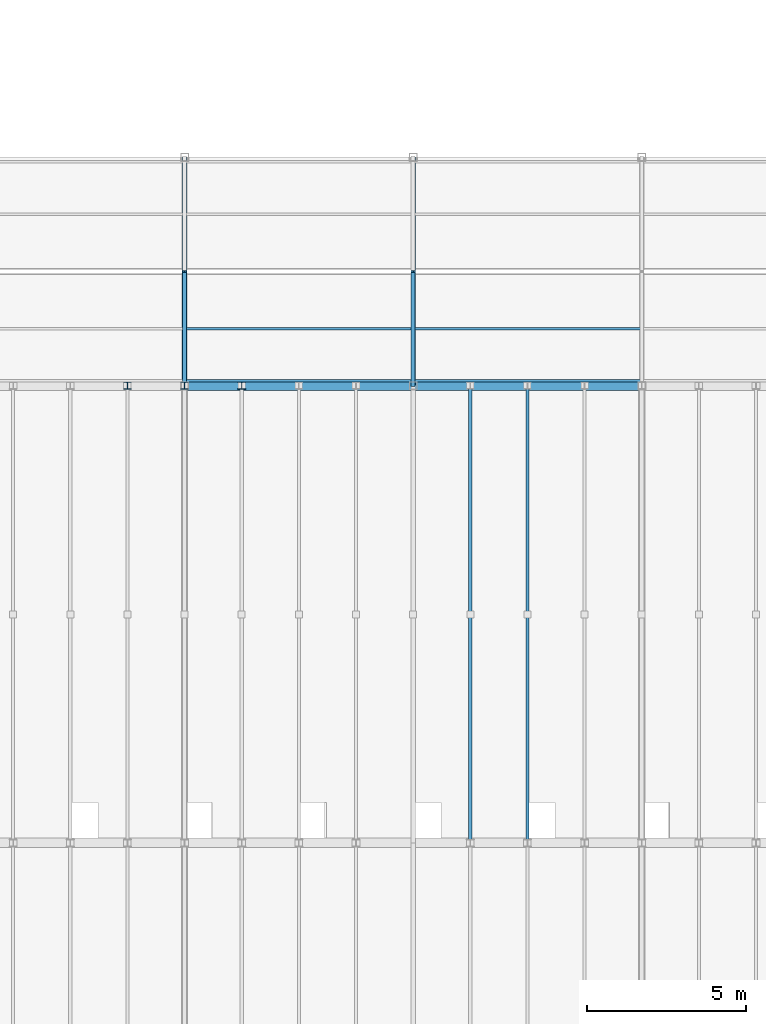
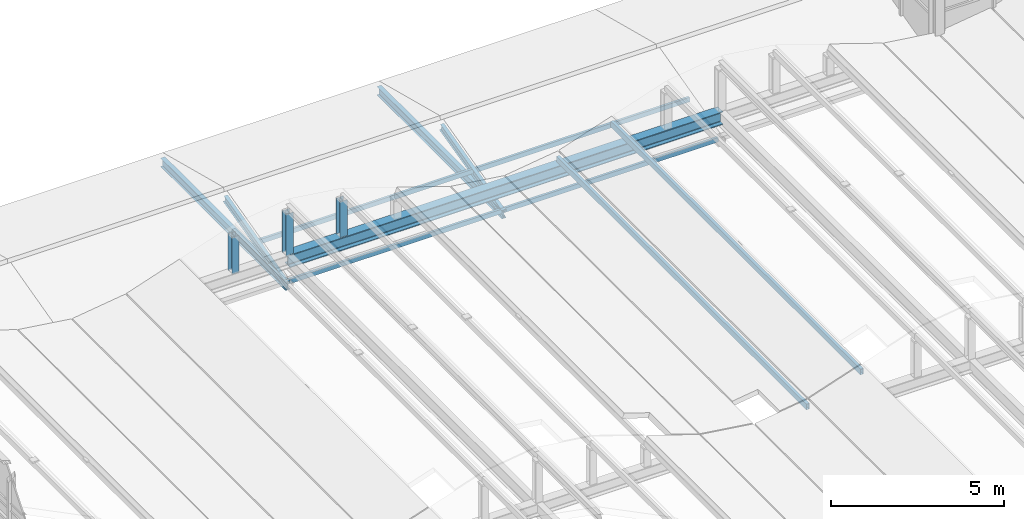
# One storey, part 19 of 83: 11 members, 3 beams.
"""IFC4 building model written with IfcOpenShell, lengths in metres."""

from ifc_helpers import new_model, si_unit, direction, frame, origin, origin_2d, place, context, subcontext, project, spatial, hollow_rectangle, i_section, extrude, material, material_profile, profile_set, type_object, element, save


model = new_model("IFC4")

# Units and contexts
model_context = context("Model", 3, precision=1e-05, world=origin(), true_north=direction((0.0, 1.0)))
body_context = subcontext(model_context, "Body", "Model", "MODEL_VIEW")
ifc_project = project(units=[si_unit("LENGTHUNIT", "METRE"), si_unit("AREAUNIT", "SQUARE_METRE"), si_unit("VOLUMEUNIT", "CUBIC_METRE"), si_unit("PLANEANGLEUNIT", "RADIAN"), si_unit("MASSUNIT", "GRAM", prefix="KILO")], contexts=[model_context])

# Site, building, storey
site_placement = place(None, origin())
site = spatial("IfcSite", under=ifc_project, at=site_placement, CompositionType="ELEMENT")
building_placement = place(site_placement, origin())
building = spatial("IfcBuilding", under=site, at=building_placement, Name="Leyfeld Transit Interchange", CompositionType="ELEMENT")
storey_placement = place(building_placement, frame((0.0, 0.0, 5.39990234375)))
storey = spatial("IfcBuildingStorey", under=building, at=storey_placement, Name="L01", CompositionType="ELEMENT", Elevation=5.39990234375)

# Beams
ifc_material = material(Name="Steel S355J2", Category="steel")
ifc_material_profile_1 = material_profile(ifc_material, i_section(OverallWidth=0.300048828125, OverallDepth=0.449951171875, WebThickness=0.013916015625, FlangeThickness=0.02587890625, FilletRadius=0.027099609375, at=origin_2d()), Name="HEB 450")
ifc_profile_set_1 = profile_set([ifc_material_profile_1], Name="Steel S355J2")
beam_type_1 = type_object("IfcBeamType", Name="BM-STL-HEB450", PredefinedType="JOIST", material=ifc_profile_set_1)
beam_placement = place(storey_placement, frame((115.199951171875, 43.199951171875, 0.675048828125), z_axis=(1.0, 0.0, 0.0), x_axis=(0.0, 1.0, 0.0)))
element("IfcBeam", 1, at=beam_placement, inside=storey, type_object=beam_type_1, Name="Bus Canopy Longitudinal Girder R4 B2", PredefinedType="JOIST", context=body_context, shape_type="SweptSolid", body=[
    extrude(i_section(OverallWidth=0.300048828125, OverallDepth=0.449951171875, WebThickness=0.013916015625, FlangeThickness=0.02587890625, FilletRadius=0.027099609375, at=origin_2d()), origin(), (0.0, 0.0, 1.0), 14.400146484375),
])
ifc_material_profile_2 = material_profile(ifc_material, i_section(OverallWidth=0.14990234375, OverallDepth=0.300048828125, WebThickness=0.007080078125, FlangeThickness=0.0107421875, FilletRadius=0.014892578125, at=origin_2d()), Name="IPE 300")
ifc_profile_set_2 = profile_set([ifc_material_profile_2], Name="Steel S355J2")
beam_type_2 = type_object("IfcBeamType", Name="BM-STL-IPE300", PredefinedType="SPANDREL", material=ifc_profile_set_2)
for number, where, z_axis, x_axis, name in (
    (2, (115.199951171875, 43.199951171875, -0.27001953125), (0.0, 1.0, 0.0), (-1.0, 0.0, 0.0), "Passage Gable Tie Beam 03"),
    (3, (122.39990234375, 43.199951171875, -0.27001953125), (0.0, 1.0, 0.0), (-1.0, 0.0, 0.0), "Passage Gable Tie Beam 04"),
):
    element("IfcBeam", number, at=place(storey_placement, frame(where, z_axis=z_axis, x_axis=x_axis)), inside=storey, type_object=beam_type_2, Name=name, PredefinedType="SPANDREL", context=body_context, shape_type="SweptSolid", body=[
        extrude(i_section(OverallWidth=0.14990234375, OverallDepth=0.300048828125, WebThickness=0.007080078125, FlangeThickness=0.0107421875, FilletRadius=0.014892578125, at=origin_2d()), origin(), (0.0, 0.0, 1.0), 7.199951171875),
    ])

# Members
ifc_material_profile_3 = material_profile(ifc_material, i_section(OverallWidth=0.239990234375, OverallDepth=0.22998046875, WebThickness=0.007568359375, FlangeThickness=0.011962890625, FilletRadius=0.02099609375, at=origin_2d()), Name="HEA 240")
ifc_profile_set_3 = profile_set([ifc_material_profile_3], Name="Steel S355J2")
member_type_1 = type_object("IfcMemberType", Name="MEM-CHD-HEA240", PredefinedType="CHORD", material=ifc_profile_set_3)
member_1_placement = place(storey_placement, frame((113.39990234375, 43.199951171875, 0.860107421875), z_axis=(0.0, 0.0, 1.0), x_axis=(1.0, 0.0, 0.0)))
element("IfcMember", 4, at=member_1_placement, inside=storey, type_object=member_type_1, Name="Wave Canopy Riser Post 052", PredefinedType="CHORD", context=body_context, shape_type="SweptSolid", body=[
    extrude(i_section(OverallWidth=0.239990234375, OverallDepth=0.22998046875, WebThickness=0.007568359375, FlangeThickness=0.011962890625, FilletRadius=0.02099609375, at=origin_2d()), origin(), (0.0, 0.0, 1.0), 1.2998046875),
])
member_2_placement = place(storey_placement, frame((115.199951171875, 43.199951171875, 0.860107421875), z_axis=(0.0, 0.0, 1.0), x_axis=(1.0, 0.0, 0.0)))
element("IfcMember", 5, at=member_2_placement, inside=storey, type_object=member_type_1, Name="Wave Canopy Riser Post 059", PredefinedType="CHORD", context=body_context, shape_type="SweptSolid", body=[
    extrude(i_section(OverallWidth=0.239990234375, OverallDepth=0.22998046875, WebThickness=0.007568359375, FlangeThickness=0.011962890625, FilletRadius=0.02099609375, at=origin_2d()), origin(), (0.0, 0.0, 1.0), 1.488037109375),
])
member_3_placement = place(storey_placement, frame((117.0, 43.199951171875, 0.860107421875), z_axis=(0.0, 0.0, 1.0), x_axis=(1.0, 0.0, 0.0)))
element("IfcMember", 6, at=member_3_placement, inside=storey, type_object=member_type_1, Name="Wave Canopy Riser Post 066", PredefinedType="CHORD", context=body_context, shape_type="SweptSolid", body=[
    extrude(i_section(OverallWidth=0.239990234375, OverallDepth=0.22998046875, WebThickness=0.007568359375, FlangeThickness=0.011962890625, FilletRadius=0.02099609375, at=origin_2d()), origin(), (0.0, 0.0, 1.0), 1.2998046875),
])
ifc_material_profile_4 = material_profile(ifc_material, i_section(OverallWidth=0.1201171875, OverallDepth=0.239990234375, WebThickness=0.006103515625, FlangeThickness=0.009765625, FilletRadius=0.014892578125, at=origin_2d()), Name="IPE 240")
ifc_profile_set_4 = profile_set([ifc_material_profile_4], Name="Steel S355J2")
member_type_2 = type_object("IfcMemberType", Name="MEM-PUR-IPE240", PredefinedType="PURLIN", material=ifc_profile_set_4)
for number, where, z_axis, x_axis, name in (
    (7, (115.199951171875, 43.199951171875, -0.27001953125), (0.0, 0.970134759688, 0.242566584767), (-1.0, 0.0, 0.0), "Passage Gable Rafter S 03"),
    (8, (122.39990234375, 43.199951171875, -0.27001953125), (0.0, 0.970134759688, 0.242566584767), (-1.0, 0.0, 0.0), "Passage Gable Rafter S 04"),
):
    element("IfcMember", number, at=place(storey_placement, frame(where, z_axis=z_axis, x_axis=x_axis)), inside=storey, type_object=member_type_2, Name=name, PredefinedType="PURLIN", context=body_context, shape_type="SweptSolid", body=[
        extrude(i_section(OverallWidth=0.1201171875, OverallDepth=0.239990234375, WebThickness=0.006103515625, FlangeThickness=0.009765625, FilletRadius=0.014892578125, at=origin_2d()), origin(), (0.0, 0.0, 1.0), 3.7109375),
    ])
ifc_material_profile_5 = material_profile(ifc_material, hollow_rectangle(XDim=0.080078125, YDim=0.159912109375, WallThickness=0.008056640625, at=origin_2d()), Name="RHS 160x80x8")
ifc_profile_set_5 = profile_set([ifc_material_profile_5], Name="Steel S355J2")
member_type_3 = type_object("IfcMemberType", Name="MEM-PUR-RHS160", PredefinedType="PURLIN", material=ifc_profile_set_5)
for number, where, z_axis, x_axis, name in (
    (9, (115.199951171875, 43.35009765625, -0.239990234375), (1.0, 0.0, 0.0), (0.0, 1.0, 0.0), "Passage Roof Purlin ES 03"),
    (10, (115.199951171875, 45.0, 0.170166015625), (1.0, 0.0, 0.0), (0.0, 1.0, 0.0), "Passage Roof Purlin MS 03"),
):
    element("IfcMember", number, at=place(storey_placement, frame(where, z_axis=z_axis, x_axis=x_axis)), inside=storey, type_object=member_type_3, Name=name, PredefinedType="PURLIN", context=body_context, shape_type="SweptSolid", body=[
        extrude(hollow_rectangle(XDim=0.080078125, YDim=0.159912109375, WallThickness=0.008056640625, at=origin_2d()), origin(), (0.0, 0.0, 1.0), 7.199951171875),
    ])
for number, where, z_axis, x_axis, name in (
    (11, (122.39990234375, 43.35009765625, -0.239990234375), (1.0, 0.0, 0.0), (0.0, 1.0, 0.0), "Passage Roof Purlin ES 04"),
    (12, (122.39990234375, 45.0, 0.170166015625), (1.0, 0.0, 0.0), (0.0, 1.0, 0.0), "Passage Roof Purlin MS 04"),
):
    element("IfcMember", number, at=place(storey_placement, frame(where, z_axis=z_axis, x_axis=x_axis)), inside=storey, type_object=member_type_3, Name=name, PredefinedType="PURLIN", context=body_context, shape_type="SweptSolid", body=[
        extrude(hollow_rectangle(XDim=0.080078125, YDim=0.159912109375, WallThickness=0.008056640625, at=origin_2d()), origin(), (0.0, 0.0, 1.0), 7.2001953125),
    ])
ifc_material_profile_6 = material_profile(ifc_material, hollow_rectangle(XDim=0.10009765625, YDim=0.199951171875, WallThickness=0.008056640625, at=origin_2d()), Name="RHS 200x100x8")
ifc_profile_set_6 = profile_set([ifc_material_profile_6], Name="Steel S355J2")
member_type_4 = type_object("IfcMemberType", Name="MEM-PUR-RHS200", PredefinedType="PURLIN", material=ifc_profile_set_6)
for number, where, z_axis, x_axis, name in (
    (13, (124.199951171875, 28.800048828125, 1.0546875), (0.0, 1.0, 0.0), (-1.0, 0.0, 0.0), "Bus Canopy Purlin 088"),
    (14, (126.0, 28.800048828125, 1.656494140625), (0.0, 1.0, 0.0), (-1.0, 0.0, 0.0), "Bus Canopy Purlin 095"),
):
    element("IfcMember", number, at=place(storey_placement, frame(where, z_axis=z_axis, x_axis=x_axis)), inside=storey, type_object=member_type_4, Name=name, PredefinedType="PURLIN", context=body_context, shape_type="SweptSolid", body=[
        extrude(hollow_rectangle(XDim=0.10009765625, YDim=0.199951171875, WallThickness=0.008056640625, at=origin_2d()), origin(), (0.0, 0.0, 1.0), 14.39990234375),
    ])

save(model, "model.ifc")
